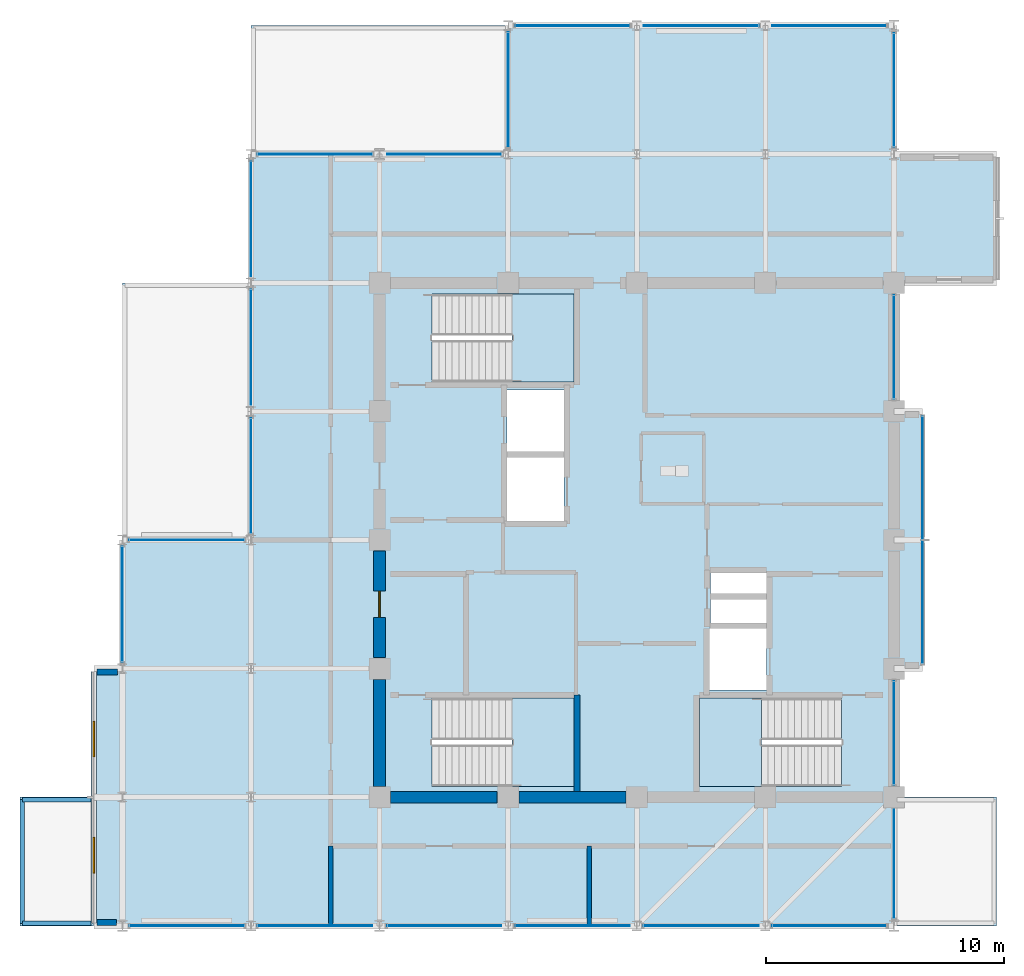
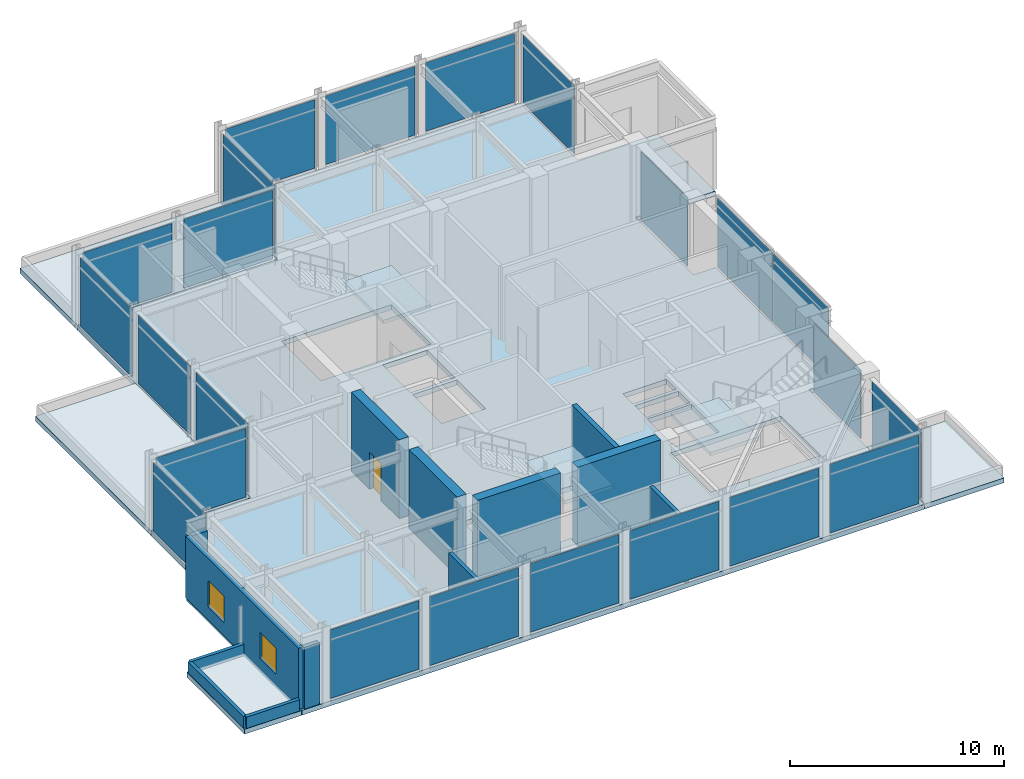
# One storey, part 14 of 21: 23 plates, 13 walls, 8 slabs, 2 windows, 1 door, 3 openings, 15 elements without a shape of their own.
"""IFC4 building model written with IfcOpenShell, lengths in metres."""

from ifc_helpers import new_model, si_unit, direction, frame, frame_2d, origin, place, context, subcontext, project, spatial, polyline, rectangle, outline, extrude, material, layer, layer_set, type_object, element, fill, aggregate, save


model = new_model("IFC4")

# Units and contexts
model_context = context("Model", 3, precision=1e-05, world=origin(), true_north=direction((0.0, 1.0)))
body_context = subcontext(model_context, "Body", "Model", "MODEL_VIEW")
ifc_project = project(units=[si_unit("LENGTHUNIT", "METRE"), si_unit("AREAUNIT", "SQUARE_METRE"), si_unit("VOLUMEUNIT", "CUBIC_METRE"), si_unit("PLANEANGLEUNIT", "RADIAN"), si_unit("MASSUNIT", "GRAM", prefix="KILO")], contexts=[model_context])

# Site, building, storey
site_placement = place(None, origin())
site = spatial("IfcSite", under=ifc_project, at=site_placement, CompositionType="ELEMENT")
building_placement = place(site_placement, origin())
building = spatial("IfcBuilding", under=site, at=building_placement, Name="Surkhivell Harbour Commons", CompositionType="ELEMENT")
storey_placement = place(building_placement, frame((0.0, 0.0, 346.5)))
storey = spatial("IfcBuildingStorey", under=building, at=storey_placement, Name="L90", CompositionType="ELEMENT", Elevation=346.5)

# Curtain wall, plate
ifc_material_1 = material(Name="Anodised pale-metal aluminium and insulated glazing", Category="aluminium")
ifc_layer_1 = layer(ifc_material_1, 0.22998046875)
ifc_layer_set_1 = layer_set([ifc_layer_1], Name="Anodised pale-metal aluminium and insulated glazing")
curtain_wall_type_1 = type_object("IfcCurtainWallType", Name="CW-SYS-CRN", PredefinedType="NOTDEFINED", material=ifc_layer_set_1)
curtain_wall_1_placement = place(storey_placement, origin())
curtain_wall_1 = element("IfcCurtainWall", 1, at=curtain_wall_1_placement, inside=storey, type_object=curtain_wall_type_1, Name="L90 Curtain Wall CW-L90-C00S1", PredefinedType="NOTDEFINED")
ifc_material_2 = material(Name="Botanical conservatory clear low-iron glass", Category="glass")
ifc_layer_2 = layer(ifc_material_2, 0.033935546875)
ifc_layer_set_2 = layer_set([ifc_layer_2], Name="Botanical conservatory clear low-iron glass")
plate_type_1 = type_object("IfcPlateType", Name="CWP-CRN-34", PredefinedType="CURTAIN_PANEL", material=ifc_layer_set_2)
plate_1_placement = place(storey_placement, frame((-5.39990234375, 21.31298828125, 0.14990234375), z_axis=(0.0, 0.0, 1.0), x_axis=(0.0, -1.0, 0.0)))
plate_1 = element("IfcPlate", 2, at=plate_1_placement, type_object=plate_type_1, Name="CW-CRN panel 1.1", PredefinedType="CURTAIN_PANEL", context=body_context, shape_type="SweptSolid", body=[
    extrude(rectangle(XDim=4.825927734375, YDim=0.033935546875, at=frame_2d((2.4130859375, 0.0))), origin(), (0.0, 0.0, 1.0), 3.920166015625),
])
aggregate(curtain_wall_1, [plate_1])

# Curtain wall, plates
curtain_wall_2_placement = place(storey_placement, origin())
curtain_wall_2 = element("IfcCurtainWall", 3, at=curtain_wall_2_placement, inside=storey, type_object=curtain_wall_type_1, Name="L90 Curtain Wall CW-L90-C01", PredefinedType="NOTDEFINED")
plate_2_placement = place(storey_placement, frame((-5.68701171875, 16.199951171875, 0.14990234375), z_axis=(0.0, 0.0, 1.0), x_axis=(-1.0, 0.0, 0.0)))
plate_2 = element("IfcPlate", 4, at=plate_2_placement, type_object=plate_type_1, Name="CW-CRN panel 1.1", PredefinedType="CURTAIN_PANEL", context=body_context, shape_type="SweptSolid", body=[
    extrude(rectangle(XDim=4.7958984375, YDim=0.033935546875, at=frame_2d((2.39794921875, 0.0))), origin(), (0.0, 0.0, 1.0), 3.920166015625),
])
plate_3_placement = place(storey_placement, frame((-11.116943359375, 16.199951171875, 0.14990234375), z_axis=(0.0, 0.0, 1.0), x_axis=(-1.0, 0.0, 0.0)))
plate_3 = element("IfcPlate", 5, at=plate_3_placement, type_object=plate_type_1, Name="CW-CRN panel 2.1", PredefinedType="CURTAIN_PANEL", context=body_context, shape_type="SweptSolid", body=[
    extrude(rectangle(XDim=4.796142578125, YDim=0.033935546875, at=frame_2d((2.39794921875, 0.0))), origin(), (0.0, 0.0, 1.0), 3.920166015625),
])
aggregate(curtain_wall_2, [plate_2, plate_3])

curtain_wall_3_placement = place(storey_placement, origin())
curtain_wall_3 = element("IfcCurtainWall", 6, at=curtain_wall_3_placement, inside=storey, type_object=curtain_wall_type_1, Name="L90 Curtain Wall CW-L90-C02S1", PredefinedType="NOTDEFINED")
plate_4_placement = place(storey_placement, frame((-16.199951171875, 15.9130859375, 0.14990234375), z_axis=(0.0, 0.0, 1.0), x_axis=(0.0, -1.0, 0.0)))
plate_4 = element("IfcPlate", 7, at=plate_4_placement, type_object=plate_type_1, Name="CW-CRN panel 1.1", PredefinedType="CURTAIN_PANEL", context=body_context, shape_type="SweptSolid", body=[
    extrude(rectangle(XDim=4.826171875, YDim=0.033935546875, at=frame_2d((2.4130859375, 0.0))), origin(), (0.0, 0.0, 1.0), 3.920166015625),
])
plate_5_placement = place(storey_placement, frame((-16.199951171875, 10.512939453125, 0.14990234375), z_axis=(0.0, 0.0, 1.0), x_axis=(0.0, -1.0, 0.0)))
plate_5 = element("IfcPlate", 8, at=plate_5_placement, type_object=plate_type_1, Name="CW-CRN panel 2.1", PredefinedType="CURTAIN_PANEL", context=body_context, shape_type="SweptSolid", body=[
    extrude(rectangle(XDim=4.825927734375, YDim=0.033935546875, at=frame_2d((2.4130859375, 0.0))), origin(), (0.0, 0.0, 1.0), 3.920166015625),
])
plate_6_placement = place(storey_placement, frame((-16.199951171875, 5.113037109375, 0.14990234375), z_axis=(0.0, 0.0, 1.0), x_axis=(0.0, -1.0, 0.0)))
plate_6 = element("IfcPlate", 9, at=plate_6_placement, type_object=plate_type_1, Name="CW-CRN panel 3.1", PredefinedType="CURTAIN_PANEL", context=body_context, shape_type="SweptSolid", body=[
    extrude(rectangle(XDim=4.825927734375, YDim=0.033935546875, at=frame_2d((2.4130859375, 0.0))), origin(), (0.0, 0.0, 1.0), 3.920166015625),
])
aggregate(curtain_wall_3, [plate_4, plate_5, plate_6])

# Curtain wall, plate
curtain_wall_4_placement = place(storey_placement, origin())
curtain_wall_4 = element("IfcCurtainWall", 10, at=curtain_wall_4_placement, inside=storey, type_object=curtain_wall_type_1, Name="L90 Curtain Wall CW-L90-C03", PredefinedType="NOTDEFINED")
plate_7_placement = place(storey_placement, frame((-16.487060546875, 0.0, 0.14990234375), z_axis=(0.0, 0.0, 1.0), x_axis=(-1.0, 0.0, 0.0)))
plate_7 = element("IfcPlate", 11, at=plate_7_placement, type_object=plate_type_1, Name="CW-CRN panel 1.1", PredefinedType="CURTAIN_PANEL", context=body_context, shape_type="SweptSolid", body=[
    extrude(rectangle(XDim=4.825927734375, YDim=0.033935546875, at=frame_2d((2.4130859375, 0.0))), origin(), (0.0, 0.0, 1.0), 3.920166015625),
])
aggregate(curtain_wall_4, [plate_7])

curtain_wall_5_placement = place(storey_placement, origin())
curtain_wall_5 = element("IfcCurtainWall", 12, at=curtain_wall_5_placement, inside=storey, type_object=curtain_wall_type_1, Name="L90 Curtain Wall CW-L90-C04S1", PredefinedType="NOTDEFINED")
plate_8_placement = place(storey_placement, frame((-21.60009765625, -0.287109375, 0.14990234375), z_axis=(0.0, 0.0, 1.0), x_axis=(0.0, -1.0, 0.0)))
plate_8 = element("IfcPlate", 13, at=plate_8_placement, type_object=plate_type_1, Name="CW-CRN panel 1.1", PredefinedType="CURTAIN_PANEL", context=body_context, shape_type="SweptSolid", body=[
    extrude(rectangle(XDim=4.825927734375, YDim=0.033935546875, at=frame_2d((2.4130859375, 0.0))), origin(), (0.0, 0.0, 1.0), 3.920166015625),
])
aggregate(curtain_wall_5, [plate_8])

curtain_wall_6_placement = place(storey_placement, origin())
curtain_wall_6 = element("IfcCurtainWall", 14, at=curtain_wall_6_placement, inside=storey, type_object=curtain_wall_type_1, Name="L90 Curtain Wall CW-L90-C05", PredefinedType="NOTDEFINED")
plate_9_placement = place(storey_placement, frame((-21.282958984375, -16.199951171875, 0.14990234375), z_axis=(0.0, 0.0, 1.0), x_axis=(1.0, 0.0, 0.0)))
plate_9 = element("IfcPlate", 15, at=plate_9_placement, type_object=plate_type_1, Name="CW-CRN panel 1.1", PredefinedType="CURTAIN_PANEL", context=body_context, shape_type="SweptSolid", body=[
    extrude(rectangle(XDim=4.7958984375, YDim=0.033935546875, at=frame_2d((2.39794921875, 0.0))), origin(), (0.0, 0.0, 1.0), 3.920166015625),
])
aggregate(curtain_wall_6, [plate_9])

# Curtain wall, plates
curtain_wall_7_placement = place(storey_placement, origin())
curtain_wall_7 = element("IfcCurtainWall", 16, at=curtain_wall_7_placement, inside=storey, type_object=curtain_wall_type_1, Name="L90 Curtain Wall CW-L90-C06", PredefinedType="NOTDEFINED")
plate_10_placement = place(storey_placement, frame((-15.9130859375, -16.199951171875, 0.14990234375), z_axis=(0.0, 0.0, 1.0), x_axis=(1.0, 0.0, 0.0)))
plate_10 = element("IfcPlate", 17, at=plate_10_placement, type_object=plate_type_1, Name="CW-CRN panel 1.1", PredefinedType="CURTAIN_PANEL", context=body_context, shape_type="SweptSolid", body=[
    extrude(rectangle(XDim=4.796142578125, YDim=0.033935546875, at=frame_2d((2.39794921875, 0.0))), origin(), (0.0, 0.0, 1.0), 3.920166015625),
])
plate_11_placement = place(storey_placement, frame((-10.48291015625, -16.199951171875, 0.14990234375), z_axis=(0.0, 0.0, 1.0), x_axis=(1.0, 0.0, 0.0)))
plate_11 = element("IfcPlate", 18, at=plate_11_placement, type_object=plate_type_1, Name="CW-CRN panel 2.1", PredefinedType="CURTAIN_PANEL", context=body_context, shape_type="SweptSolid", body=[
    extrude(rectangle(XDim=4.7958984375, YDim=0.033935546875, at=frame_2d((2.39794921875, 0.0))), origin(), (0.0, 0.0, 1.0), 3.920166015625),
])
plate_12_placement = place(storey_placement, frame((-5.113037109375, -16.199951171875, 0.14990234375), z_axis=(0.0, 0.0, 1.0), x_axis=(1.0, 0.0, 0.0)))
plate_12 = element("IfcPlate", 19, at=plate_12_placement, type_object=plate_type_1, Name="CW-CRN panel 3.1", PredefinedType="CURTAIN_PANEL", context=body_context, shape_type="SweptSolid", body=[
    extrude(rectangle(XDim=4.825927734375, YDim=0.033935546875, at=frame_2d((2.4130859375, 0.0))), origin(), (0.0, 0.0, 1.0), 3.920166015625),
])
plate_13_placement = place(storey_placement, frame((0.287109375, -16.199951171875, 0.14990234375), z_axis=(0.0, 0.0, 1.0), x_axis=(1.0, 0.0, 0.0)))
plate_13 = element("IfcPlate", 20, at=plate_13_placement, type_object=plate_type_1, Name="CW-CRN panel 4.1", PredefinedType="CURTAIN_PANEL", context=body_context, shape_type="SweptSolid", body=[
    extrude(rectangle(XDim=4.825927734375, YDim=0.033935546875, at=frame_2d((2.4130859375, 0.0))), origin(), (0.0, 0.0, 1.0), 3.920166015625),
])
plate_14_placement = place(storey_placement, frame((5.68701171875, -16.199951171875, 0.14990234375), z_axis=(0.0, 0.0, 1.0), x_axis=(1.0, 0.0, 0.0)))
plate_14 = element("IfcPlate", 21, at=plate_14_placement, type_object=plate_type_1, Name="CW-CRN panel 5.1", PredefinedType="CURTAIN_PANEL", context=body_context, shape_type="SweptSolid", body=[
    extrude(rectangle(XDim=4.7958984375, YDim=0.033935546875, at=frame_2d((2.39794921875, 0.0))), origin(), (0.0, 0.0, 1.0), 3.920166015625),
])
aggregate(curtain_wall_7, [plate_10, plate_11, plate_12, plate_13, plate_14])

curtain_wall_8_placement = place(storey_placement, origin())
curtain_wall_8 = element("IfcCurtainWall", 22, at=curtain_wall_8_placement, inside=storey, type_object=curtain_wall_type_1, Name="L90 Curtain Wall CW-L90-C07S1", PredefinedType="NOTDEFINED")
plate_15_placement = place(storey_placement, frame((10.800048828125, -15.883056640625, 0.14990234375), z_axis=(0.0, 0.0, 1.0), x_axis=(0.0, 1.0, 0.0)))
plate_15 = element("IfcPlate", 23, at=plate_15_placement, type_object=plate_type_1, Name="CW-CRN panel 1.1", PredefinedType="CURTAIN_PANEL", context=body_context, shape_type="SweptSolid", body=[
    extrude(rectangle(XDim=4.55615234375, YDim=0.033935546875, at=frame_2d((2.278076171875, 0.0))), origin(), (0.0, 0.0, 1.0), 3.920166015625),
])
plate_16_placement = place(storey_placement, frame((10.800048828125, -10.27294921875, 0.14990234375), z_axis=(0.0, 0.0, 1.0), x_axis=(0.0, 1.0, 0.0)))
plate_16 = element("IfcPlate", 24, at=plate_16_placement, type_object=plate_type_1, Name="CW-CRN panel 2.1", PredefinedType="CURTAIN_PANEL", context=body_context, shape_type="SweptSolid", body=[
    extrude(rectangle(XDim=4.345947265625, YDim=0.033935546875, at=frame_2d((2.1728515625, 0.0))), origin(), (0.0, 0.0, 1.0), 3.920166015625),
])
aggregate(curtain_wall_8, [plate_15, plate_16])

# Curtain wall, plate
curtain_wall_9_placement = place(storey_placement, origin())
curtain_wall_9 = element("IfcCurtainWall", 25, at=curtain_wall_9_placement, inside=storey, type_object=curtain_wall_type_1, Name="L90 Curtain Wall CW-L90-C07S2", PredefinedType="NOTDEFINED")
plate_17_placement = place(storey_placement, frame((10.800048828125, 5.927001953125, 0.14990234375), z_axis=(0.0, 0.0, 1.0), x_axis=(0.0, 1.0, 0.0)))
plate_17 = element("IfcPlate", 26, at=plate_17_placement, type_object=plate_type_1, Name="CW-CRN panel 1.1", PredefinedType="CURTAIN_PANEL", context=body_context, shape_type="SweptSolid", body=[
    extrude(rectangle(XDim=4.345947265625, YDim=0.033935546875, at=frame_2d((2.1728515625, 0.0))), origin(), (0.0, 0.0, 1.0), 3.920166015625),
])
aggregate(curtain_wall_9, [plate_17])

curtain_wall_10_placement = place(storey_placement, origin())
curtain_wall_10 = element("IfcCurtainWall", 27, at=curtain_wall_10_placement, inside=storey, type_object=curtain_wall_type_1, Name="L90 Curtain Wall CW-L90-C07S3", PredefinedType="NOTDEFINED")
plate_18_placement = place(storey_placement, frame((10.800048828125, 16.51708984375, 0.14990234375), z_axis=(0.0, 0.0, 1.0), x_axis=(0.0, 1.0, 0.0)))
plate_18 = element("IfcPlate", 28, at=plate_18_placement, type_object=plate_type_1, Name="CW-CRN panel 1.1", PredefinedType="CURTAIN_PANEL", context=body_context, shape_type="SweptSolid", body=[
    extrude(rectangle(XDim=4.765869140625, YDim=0.033935546875, at=frame_2d((2.3828125, 0.0))), origin(), (0.0, 0.0, 1.0), 3.920166015625),
])
aggregate(curtain_wall_10, [plate_18])

# Curtain wall, plates
curtain_wall_11_placement = place(storey_placement, origin())
curtain_wall_11 = element("IfcCurtainWall", 29, at=curtain_wall_11_placement, inside=storey, type_object=curtain_wall_type_1, Name="L90 Curtain Wall CW-L90-C08", PredefinedType="NOTDEFINED")
plate_19_placement = place(storey_placement, frame((10.48291015625, 21.60009765625, 0.14990234375), z_axis=(0.0, 0.0, 1.0), x_axis=(-1.0, 0.0, 0.0)))
plate_19 = element("IfcPlate", 30, at=plate_19_placement, type_object=plate_type_1, Name="CW-CRN panel 1.1", PredefinedType="CURTAIN_PANEL", context=body_context, shape_type="SweptSolid", body=[
    extrude(rectangle(XDim=4.7958984375, YDim=0.033935546875, at=frame_2d((2.39794921875, 0.0))), origin(), (0.0, 0.0, 1.0), 3.920166015625),
])
plate_20_placement = place(storey_placement, frame((5.113037109375, 21.60009765625, 0.14990234375), z_axis=(0.0, 0.0, 1.0), x_axis=(-1.0, 0.0, 0.0)))
plate_20 = element("IfcPlate", 31, at=plate_20_placement, type_object=plate_type_1, Name="CW-CRN panel 2.1", PredefinedType="CURTAIN_PANEL", context=body_context, shape_type="SweptSolid", body=[
    extrude(rectangle(XDim=4.825927734375, YDim=0.033935546875, at=frame_2d((2.4130859375, 0.0))), origin(), (0.0, 0.0, 1.0), 3.920166015625),
])
plate_21_placement = place(storey_placement, frame((-0.287109375, 21.60009765625, 0.14990234375), z_axis=(0.0, 0.0, 1.0), x_axis=(-1.0, 0.0, 0.0)))
plate_21 = element("IfcPlate", 32, at=plate_21_placement, type_object=plate_type_1, Name="CW-CRN panel 3.1", PredefinedType="CURTAIN_PANEL", context=body_context, shape_type="SweptSolid", body=[
    extrude(rectangle(XDim=4.825927734375, YDim=0.033935546875, at=frame_2d((2.4130859375, 0.0))), origin(), (0.0, 0.0, 1.0), 3.920166015625),
])
aggregate(curtain_wall_11, [plate_19, plate_20, plate_21])

ifc_layer_3 = layer(ifc_material_1, 0.1650390625)
ifc_layer_set_3 = layer_set([ifc_layer_3], Name="Anodised pale-metal aluminium and insulated glazing")
curtain_wall_type_2 = type_object("IfcCurtainWallType", Name="CW-SYS-BOX", PredefinedType="NOTDEFINED", material=ifc_layer_set_3)
curtain_wall_12_placement = place(storey_placement, origin())
curtain_wall_12 = element("IfcCurtainWall", 33, at=curtain_wall_12_placement, inside=storey, type_object=curtain_wall_type_2, Name="L90 Curtain Wall CW-L90-BOX01", PredefinedType="NOTDEFINED")
ifc_material_3 = material(Name="Triple-glazed bay-cluster vision glass", Category="glass")
ifc_layer_4 = layer(ifc_material_3, 0.028076171875)
ifc_layer_set_4 = layer_set([ifc_layer_4], Name="Triple-glazed bay-cluster vision glass")
plate_type_2 = type_object("IfcPlateType", Name="CWP-GLZ-28", PredefinedType="CURTAIN_PANEL", material=ifc_layer_set_4)
plate_22_placement = place(storey_placement, frame((12.0, -5.179931640625, 0.1298828125), z_axis=(0.0, 0.0, 1.0), x_axis=(0.0, 1.0, 0.0)))
plate_22 = element("IfcPlate", 34, at=plate_22_placement, type_object=plate_type_2, Name="CW-BOX panel 1.1", PredefinedType="CURTAIN_PANEL", context=body_context, shape_type="SweptSolid", body=[
    extrude(rectangle(XDim=5.14501953125, YDim=0.028076171875, at=frame_2d((2.572509765625, 0.0))), origin(), (0.0, 0.0, 1.0), 3.960205078125),
])
plate_23_placement = place(storey_placement, frame((12.0, 0.034912109375, 0.1298828125), z_axis=(0.0, 0.0, 1.0), x_axis=(0.0, 1.0, 0.0)))
plate_23 = element("IfcPlate", 35, at=plate_23_placement, type_object=plate_type_2, Name="CW-BOX panel 2.1", PredefinedType="CURTAIN_PANEL", context=body_context, shape_type="SweptSolid", body=[
    extrude(rectangle(XDim=5.14501953125, YDim=0.028076171875, at=frame_2d((2.572509765625, 0.0))), origin(), (0.0, 0.0, 1.0), 3.960205078125),
])
aggregate(curtain_wall_12, [plate_22, plate_23])

# Slabs
ifc_material_4 = material(Name="Concrete C50/60", Category="concrete")
ifc_layer_5 = layer(ifc_material_4, 0.280029296875)
ifc_layer_set_5 = layer_set([ifc_layer_5], Name="Concrete C50/60")
slab_type_1 = type_object("IfcSlabType", Name="SLB-BOXRF-280", PredefinedType="ROOF", material=ifc_layer_set_5)
slab_1_placement = place(storey_placement, frame((0.0, 0.0, -0.280029296875)))
element("IfcSlab", 36, at=slab_1_placement, inside=storey, type_object=slab_type_1, Name="L90 Closed Box-Cluster Roof Slab 1", PredefinedType="ROOF", context=body_context, shape_type="SweptSolid", body=[
    extrude(outline(polyline([(-16.199951171875, 16.219970703125), (-5.419921875, 16.219970703125), (-5.419921875, 21.60009765625), (-16.199951171875, 21.60009765625), (-16.199951171875, 16.219970703125)])), origin(), (0.0, 0.0, 1.0), 0.280029296875),
])
slab_2_placement = place(storey_placement, frame((0.0, 0.0, -0.280029296875)))
element("IfcSlab", 37, at=slab_2_placement, inside=storey, type_object=slab_type_1, Name="L90 Closed Box-Cluster Roof Slab 2", PredefinedType="ROOF", context=body_context, shape_type="SweptSolid", body=[
    extrude(outline(polyline([(10.820068359375, -10.800048828125), (10.820068359375, -16.199951171875), (15.10009765625, -16.199951171875), (15.10009765625, -10.800048828125), (10.820068359375, -10.800048828125)])), origin(), (0.0, 0.0, 1.0), 0.280029296875),
])
slab_3_placement = place(storey_placement, frame((0.0, 0.0, -0.280029296875)))
element("IfcSlab", 38, at=slab_3_placement, inside=storey, type_object=slab_type_1, Name="L90 Closed Box-Cluster Roof Slab 3", PredefinedType="ROOF", context=body_context, shape_type="SweptSolid", body=[
    extrude(outline(polyline([(-22.820068359375, -16.199951171875), (-22.820068359375, -10.800048828125), (-25.89990234375, -10.800048828125), (-25.89990234375, -16.199951171875), (-22.820068359375, -16.199951171875)])), origin(), (0.0, 0.0, 1.0), 0.280029296875),
])
slab_4_placement = place(storey_placement, frame((0.0, 0.0, -0.280029296875)))
element("IfcSlab", 39, at=slab_4_placement, inside=storey, type_object=slab_type_1, Name="L90 Closed Box-Cluster Roof Slab 4", PredefinedType="ROOF", context=body_context, shape_type="SweptSolid", body=[
    extrude(outline(polyline([(-21.60009765625, 0.02001953125), (-16.219970703125, 0.02001953125), (-16.219970703125, 10.800048828125), (-21.60009765625, 10.800048828125), (-21.60009765625, 0.02001953125)])), origin(), (0.0, 0.0, 1.0), 0.280029296875),
])
ifc_layer_6 = layer(ifc_material_4, 0.280029296875)
ifc_layer_set_6 = layer_set([ifc_layer_6], Name="Concrete C50/60")
slab_type_2 = type_object("IfcSlabType", Name="SLB-CRN-280", PredefinedType="FLOOR", material=ifc_layer_set_6)
slab_5_placement = place(storey_placement, frame((0.0, 0.0, -0.280029296875)))
element("IfcSlab", 40, at=slab_5_placement, inside=storey, type_object=slab_type_2, Name="L90 Structural Floor Slab", PredefinedType="FLOOR", context=body_context, shape_type="SweptSolid", body=[
    extrude(outline(polyline([(-16.199951171875, -16.199951171875), (10.800048828125, -16.199951171875), (10.800048828125, -5.39990234375), (12.0, -5.39990234375), (12.0, 5.39990234375), (10.800048828125, 5.39990234375), (10.800048828125, 10.800048828125), (15.10009765625, 10.800048828125), (15.10009765625, 16.199951171875), (10.800048828125, 16.199951171875), (10.800048828125, 21.60009765625), (-5.39990234375, 21.60009765625), (-5.39990234375, 16.199951171875), (-16.199951171875, 16.199951171875), (-16.199951171875, 0.0), (-21.60009765625, 0.0), (-21.60009765625, -5.39990234375), (-22.800048828125, -5.39990234375), (-22.800048828125, -16.199951171875), (-21.60009765625, -16.199951171875), (-16.199951171875, -16.199951171875)]), holes=[polyline([(-8.590087890625, 6.639892578125), (-2.639892578125, 6.639892578125), (-2.639892578125, 10.340087890625), (-8.590087890625, 10.340087890625), (-8.590087890625, 6.639892578125)]), polyline([(8.590087890625, -6.639892578125), (2.639892578125, -6.639892578125), (2.639892578125, -10.340087890625), (8.590087890625, -10.340087890625), (8.590087890625, -6.639892578125)]), polyline([(-8.590087890625, -10.340087890625), (-2.639892578125, -10.340087890625), (-2.639892578125, -6.639892578125), (-8.590087890625, -6.639892578125), (-8.590087890625, -10.340087890625)]), polyline([(-5.449951171875, 3.699951171875), (-3.050048828125, 3.699951171875), (-3.050048828125, 6.300048828125), (-5.449951171875, 6.300048828125), (-5.449951171875, 3.699951171875)]), polyline([(3.050048828125, -6.300048828125), (5.449951171875, -6.300048828125), (5.449951171875, -3.699951171875), (3.050048828125, -3.699951171875), (3.050048828125, -6.300048828125)]), polyline([(-5.449951171875, 0.800048828125), (-3.050048828125, 0.800048828125), (-3.050048828125, 3.5), (-5.449951171875, 3.5), (-5.449951171875, 0.800048828125)]), polyline([(3.10009765625, -3.550048828125), (5.449951171875, -3.550048828125), (5.449951171875, -2.47998046875), (3.10009765625, -2.47998046875), (3.10009765625, -3.550048828125)]), polyline([(3.10009765625, -2.280029296875), (5.449951171875, -2.280029296875), (5.449951171875, -1.35009765625), (3.10009765625, -1.35009765625), (3.10009765625, -2.280029296875)])]), origin(), (0.0, 0.0, 1.0), 0.280029296875),
])

# Stair, slab
ifc_material_5 = material(Name="Precast concrete C45/55", Category="concrete")
stair_type = type_object("IfcStairType", Name="STR-DL-450", PredefinedType="HALF_TURN_STAIR", material=ifc_material_5)
stair_1_placement = place(storey_placement, origin())
stair_1 = element("IfcStair", 41, at=stair_1_placement, inside=storey, type_object=stair_type, Name="L90 Core Exit Stair ST1", PredefinedType="HALF_TURN_STAIR")
ifc_material_6 = material(Name="Reinforced concrete C45/55", Category="concrete")
ifc_layer_7 = layer(ifc_material_6, 0.199951171875)
ifc_layer_set_7 = layer_set([ifc_layer_7], Name="Reinforced concrete C45/55")
slab_type_3 = type_object("IfcSlabType", Name="SLB-ST-LND200", PredefinedType="LANDING", material=ifc_layer_set_7)
slab_6_placement = place(storey_placement, frame((0.0, 0.0, 2.050048828125)))
slab_6 = element("IfcSlab", 42, at=slab_6_placement, type_object=slab_type_3, Name="ST1 landing 1", PredefinedType="LANDING", context=body_context, shape_type="SweptSolid", body=[
    extrude(outline(polyline([(-5.22998046875, 6.639892578125), (-2.639892578125, 6.639892578125), (-2.639892578125, 10.340087890625), (-5.22998046875, 10.340087890625), (-5.22998046875, 6.639892578125)])), origin(), (0.0, 0.0, 1.0), 0.199951171875),
])
aggregate(stair_1, [slab_6])

stair_2_placement = place(storey_placement, origin())
stair_2 = element("IfcStair", 43, at=stair_2_placement, inside=storey, type_object=stair_type, Name="L90 Core Exit Stair ST2", PredefinedType="HALF_TURN_STAIR")
slab_7_placement = place(storey_placement, frame((0.0, 0.0, 2.050048828125)))
slab_7 = element("IfcSlab", 44, at=slab_7_placement, type_object=slab_type_3, Name="ST2 landing 1", PredefinedType="LANDING", context=body_context, shape_type="SweptSolid", body=[
    extrude(outline(polyline([(5.22998046875, -6.639892578125), (2.639892578125, -6.639892578125), (2.639892578125, -10.340087890625), (5.22998046875, -10.340087890625), (5.22998046875, -6.639892578125)])), origin(), (0.0, 0.0, 1.0), 0.199951171875),
])
aggregate(stair_2, [slab_7])

stair_3_placement = place(storey_placement, origin())
stair_3 = element("IfcStair", 45, at=stair_3_placement, inside=storey, type_object=stair_type, Name="L90 Core Exit Stair ST3", PredefinedType="HALF_TURN_STAIR")
slab_8_placement = place(storey_placement, frame((0.0, 0.0, 2.050048828125)))
slab_8 = element("IfcSlab", 46, at=slab_8_placement, type_object=slab_type_3, Name="ST3 landing 1", PredefinedType="LANDING", context=body_context, shape_type="SweptSolid", body=[
    extrude(outline(polyline([(-5.22998046875, -10.340087890625), (-2.639892578125, -10.340087890625), (-2.639892578125, -6.639892578125), (-5.22998046875, -6.639892578125), (-5.22998046875, -10.340087890625)])), origin(), (0.0, 0.0, 1.0), 0.199951171875),
])
aggregate(stair_3, [slab_8])

# Walls
ifc_layer_8 = layer(ifc_material_4, 0.5)
ifc_layer_set_8 = layer_set([ifc_layer_8], Name="Concrete C50/60")
wall_type_1 = type_object("IfcWallType", Name="WAL-CORE-500", PredefinedType="SHEAR", material=ifc_layer_set_8)
for number, where, z_axis, x_axis, name in (
    (47, (-10.340087890625, -10.800048828125, 0.0), (0.0, 0.0, 1.0), (1.0, 0.0, 0.0), "L90 Core Shear Wall South 1"),
    (48, (-10.800048828125, -10.340087890625, 0.0), (0.0, 0.0, 1.0), (0.0, 1.0, 0.0), "L90 Core Shear Wall West 1"),
    (49, (-4.93994140625, -10.800048828125, 0.0), (0.0, 0.0, 1.0), (1.0, 0.0, 0.0), "L90 Core Shear Wall South 2"),
):
    element("IfcWall", number, at=place(storey_placement, frame(where, z_axis=z_axis, x_axis=x_axis)), inside=storey, type_object=wall_type_1, Name=name, PredefinedType="SHEAR", context=body_context, shape_type="SweptSolid", body=[
        extrude(rectangle(XDim=4.47998046875, YDim=0.5, at=frame_2d((2.239990234375, 0.0))), origin(), (0.0, 0.0, 1.0), 4.5),
    ])

# Wall, opening, door
wall_1_placement = place(storey_placement, frame((-10.800048828125, -4.93994140625, 0.0), z_axis=(0.0, 0.0, 1.0), x_axis=(0.0, 1.0, 0.0)))
wall_1 = element("IfcWall", 50, at=wall_1_placement, inside=storey, type_object=wall_type_1, Name="L90 Core Shear Wall West 2", PredefinedType="SHEAR", context=body_context, shape_type="SweptSolid", body=[
    extrude(rectangle(XDim=4.47998046875, YDim=0.5, at=frame_2d((2.239990234375, 0.0))), origin(), (0.0, 0.0, 1.0), 4.5),
])
opening_1_placement = place(wall_1_placement, frame((1.68994140625, 0.0, 0.0)))
opening_1 = element("IfcOpeningElement", 51, at=opening_1_placement, cuts=wall_1, Name="Opening ID-2", PredefinedType="OPENING", context=body_context, shape_type="SweptSolid", body=[
    extrude(rectangle(XDim=1.10009765625, YDim=2.10009765625, at=frame_2d((0.550048828125, 1.050048828125))), frame((0.0, 0.260009765625, 0.0), z_axis=(0.0, -1.0, 0.0), x_axis=(1.0, 0.0, 0.0)), (0.0, 0.0, 1.0), 0.52001953125),
])
ifc_material_7 = material(Name="Hardwood-veneered fire-rated door leaf", Category="wood")
door_type = type_object("IfcDoorType", Name="DOR-FD60-1100", OperationType="NOTDEFINED", PredefinedType="DOOR", material=ifc_material_7)
door_placement = place(opening_1_placement, origin())
door = element("IfcDoor", 52, at=door_placement, inside=storey, type_object=door_type, Name="L90 Stair 3 Lobby Corridor Door", OperationType="SINGLE_SWING_LEFT", OverallHeight=2.10009765625, OverallWidth=1.10009765625, PredefinedType="DOOR", context=body_context, shape_type="SweptSolid", body=[
    extrude(rectangle(XDim=1.10009765625, YDim=2.10009765625, at=frame_2d((0.550048828125, 1.050048828125))), frame((0.0, 0.02490234375, 0.0), z_axis=(0.0, -1.0, 0.0), x_axis=(1.0, 0.0, 0.0)), (0.0, 0.0, 1.0), 0.050048828125),
])
fill(opening_1, door)

# Wall, openings, windows
ifc_material_8 = material(Name="Bronze-ochre cassette precast concrete C45/55", Category="concrete")
ifc_layer_9 = layer(ifc_material_8, 0.239990234375)
ifc_layer_set_9 = layer_set([ifc_layer_9], Name="Bronze-ochre cassette precast concrete C45/55")
wall_type_2 = type_object("IfcWallType", Name="WAL-EXT-OCH240", PredefinedType="STANDARD", material=ifc_layer_set_9)
wall_2_placement = place(storey_placement, frame((-22.800048828125, -5.52001953125, 0.0), z_axis=(0.0, 0.0, 1.0), x_axis=(0.0, -1.0, 0.0)))
wall_2 = element("IfcWall", 53, at=wall_2_placement, inside=storey, type_object=wall_type_2, Name="L90 Coloured Box Front Wall 03", PredefinedType="STANDARD", context=body_context, shape_type="SweptSolid", body=[
    extrude(rectangle(XDim=10.56005859375, YDim=0.239990234375, at=frame_2d((5.280029296875, 0.0))), origin(), (0.0, 0.0, 1.0), 3.507080078125),
])
opening_2_placement = place(wall_2_placement, frame((2.090087890625, 0.0, 0.75)))
opening_2 = element("IfcOpeningElement", 54, at=opening_2_placement, cuts=wall_2, Name="Opening WN-13", PredefinedType="OPENING", context=body_context, shape_type="SweptSolid", body=[
    extrude(rectangle(XDim=1.5, YDim=1.5, at=frame_2d((0.75, 0.75))), frame((0.0, 0.1298828125, 0.0), z_axis=(0.0, -1.0, 0.0), x_axis=(1.0, 0.0, 0.0)), (0.0, 0.0, 1.0), 0.260009765625),
])
opening_3_placement = place(wall_2_placement, frame((6.969970703125, 0.0, 0.75)))
opening_3 = element("IfcOpeningElement", 55, at=opening_3_placement, cuts=wall_2, Name="Opening WN-13", PredefinedType="OPENING", context=body_context, shape_type="SweptSolid", body=[
    extrude(rectangle(XDim=1.5, YDim=1.5, at=frame_2d((0.75, 0.75))), frame((0.0, 0.1298828125, 0.0), z_axis=(0.0, -1.0, 0.0), x_axis=(1.0, 0.0, 0.0)), (0.0, 0.0, 1.0), 0.260009765625),
])
ifc_material_9 = material(Name="Thermal-break aluminium frame and double low-E glazing", Category="aluminium")
window_type = type_object("IfcWindowType", Name="WIN-BOX-1500x1500", PartitioningType="SINGLE_PANEL", PredefinedType="WINDOW", material=ifc_material_9)
window_1_placement = place(opening_2_placement, origin())
window_1 = element("IfcWindow", 56, at=window_1_placement, inside=storey, type_object=window_type, Name="L90 Coloured Box Square Window 03-1", OverallHeight=1.5, OverallWidth=1.5, PartitioningType="SINGLE_PANEL", PredefinedType="WINDOW", context=body_context, shape_type="SweptSolid", body=[
    extrude(rectangle(XDim=1.5, YDim=1.5, at=frame_2d((0.75, 0.75))), frame((0.0, 0.030029296875, 0.0), z_axis=(0.0, -1.0, 0.0), x_axis=(1.0, 0.0, 0.0)), (0.0, 0.0, 1.0), 0.06005859375),
])
fill(opening_2, window_1)
window_2_placement = place(opening_3_placement, origin())
window_2 = element("IfcWindow", 57, at=window_2_placement, inside=storey, type_object=window_type, Name="L90 Coloured Box Square Window 03-2", OverallHeight=1.5, OverallWidth=1.5, PartitioningType="SINGLE_PANEL", PredefinedType="WINDOW", context=body_context, shape_type="SweptSolid", body=[
    extrude(rectangle(XDim=1.5, YDim=1.5, at=frame_2d((0.75, 0.75))), frame((0.0, 0.030029296875, 0.0), z_axis=(0.0, -1.0, 0.0), x_axis=(1.0, 0.0, 0.0)), (0.0, 0.0, 1.0), 0.06005859375),
])
fill(opening_3, window_2)

# Walls
wall_3_placement = place(storey_placement, frame((-22.659912109375, -16.06005859375, 0.0), z_axis=(0.0, 0.0, 1.0), x_axis=(1.0, 0.0, 0.0)))
element("IfcWall", 58, at=wall_3_placement, inside=storey, type_object=wall_type_2, Name="L90 Coloured Box Return Wall 03S", PredefinedType="STANDARD", context=body_context, shape_type="SweptSolid", body=[
    extrude(rectangle(XDim=0.81591796875, YDim=0.239990234375, at=frame_2d((0.407958984375, 0.0))), origin(), (0.0, 0.0, 1.0), 3.507080078125),
])
wall_4_placement = place(storey_placement, frame((-22.659912109375, -5.5400390625, 0.0), z_axis=(0.0, 0.0, 1.0), x_axis=(1.0, 0.0, 0.0)))
element("IfcWall", 59, at=wall_4_placement, inside=storey, type_object=wall_type_2, Name="L90 Coloured Box Return Wall 03N", PredefinedType="STANDARD", context=body_context, shape_type="SweptSolid", body=[
    extrude(rectangle(XDim=0.845947265625, YDim=0.239990234375, at=frame_2d((0.4228515625, 0.0))), origin(), (0.0, 0.0, 1.0), 3.507080078125),
])
ifc_material_10 = material(Name="Autoclaved aerated concrete blockwork and fire plaster", Category="masonry")
ifc_layer_10 = layer(ifc_material_10, 0.199951171875)
ifc_layer_set_10 = layer_set([ifc_layer_10], Name="Autoclaved aerated concrete blockwork and fire plaster")
wall_type_3 = type_object("IfcWallType", Name="WAL-INT-200", PredefinedType="PARTITIONING", material=ifc_layer_set_10)
for number, where, z_axis, x_axis, name in (
    (60, (-2.0, -16.159912109375, 0.0), (0.0, 0.0, 1.0), (0.0, 1.0, 0.0), "L90 Crown Plant South Divider"),
    (61, (-12.85009765625, -16.159912109375, 0.0), (0.0, 0.0, 1.0), (0.0, 1.0, 0.0), "L90 Crown SW Corner Wall"),
):
    element("IfcWall", number, at=place(storey_placement, frame(where, z_axis=z_axis, x_axis=x_axis)), inside=storey, type_object=wall_type_3, Name=name, PredefinedType="PARTITIONING", context=body_context, shape_type="SweptSolid", body=[
        extrude(rectangle(XDim=3.309814453125, YDim=0.199951171875, at=frame_2d((1.65478515625, 0.0))), origin(), (0.0, 0.0, 1.0), 3.507080078125),
    ])
ifc_material_11 = material(Name="Anodised aluminium and precast concrete C40/50", Category="concrete")
ifc_layer_11 = layer(ifc_material_11, 0.18505859375)
ifc_layer_set_11 = layer_set([ifc_layer_11], Name="Anodised aluminium and precast concrete C40/50")
wall_type_4 = type_object("IfcWallType", Name="WAL-PAR-185", PredefinedType="PARAPET", material=ifc_layer_set_11)
wall_5_placement = place(storey_placement, frame((-22.919921875, -10.89990234375, 0.0), z_axis=(0.0, 0.0, 1.0), x_axis=(-1.0, 0.0, 0.0)))
element("IfcWall", 62, at=wall_5_placement, inside=storey, type_object=wall_type_4, Name="L90 Box Roof Coping Parapet 3-1", PredefinedType="PARAPET", context=body_context, shape_type="SweptSolid", body=[
    extrude(rectangle(XDim=2.880126953125, YDim=0.18505859375, at=frame_2d((1.43994140625, 0.0))), origin(), (0.0, 0.0, 1.0), 0.64990234375),
])
wall_6_placement = place(storey_placement, frame((-25.800048828125, -10.89990234375, 0.0), z_axis=(0.0, 0.0, 1.0), x_axis=(0.0, -1.0, 0.0)))
element("IfcWall", 63, at=wall_6_placement, inside=storey, type_object=wall_type_4, Name="L90 Box Roof Coping Parapet 3-2", PredefinedType="PARAPET", context=body_context, shape_type="SweptSolid", body=[
    extrude(rectangle(XDim=5.2001953125, YDim=0.18505859375, at=frame_2d((2.60009765625, 0.0))), origin(), (0.0, 0.0, 1.0), 0.64990234375),
])
wall_7_placement = place(storey_placement, frame((-25.800048828125, -16.10009765625, 0.0), z_axis=(0.0, 0.0, 1.0), x_axis=(1.0, 0.0, 0.0)))
element("IfcWall", 64, at=wall_7_placement, inside=storey, type_object=wall_type_4, Name="L90 Box Roof Coping Parapet 3-3", PredefinedType="PARAPET", context=body_context, shape_type="SweptSolid", body=[
    extrude(rectangle(XDim=2.880126953125, YDim=0.18505859375, at=frame_2d((1.43994140625, 0.0))), origin(), (0.0, 0.0, 1.0), 0.64990234375),
])
ifc_layer_12 = layer(ifc_material_4, 0.25)
ifc_layer_set_12 = layer_set([ifc_layer_12], Name="Concrete C50/60")
wall_type_5 = type_object("IfcWallType", Name="WAL-SHAFT-250", PredefinedType="SHEAR", material=ifc_layer_set_12)
wall_8_placement = place(storey_placement, frame((-2.510009765625, -10.550048828125, 0.0), z_axis=(0.0, 0.0, 1.0), x_axis=(0.0, 1.0, 0.0)))
element("IfcWall", 65, at=wall_8_placement, inside=storey, type_object=wall_type_5, Name="L90 Stair ST3 East Shear Wall", PredefinedType="SHEAR", context=body_context, shape_type="SweptSolid", body=[
    extrude(rectangle(XDim=4.0400390625, YDim=0.25, at=frame_2d((2.02001953125, 0.0))), origin(), (0.0, 0.0, 1.0), 4.5),
])

save(model, "model.ifc")
